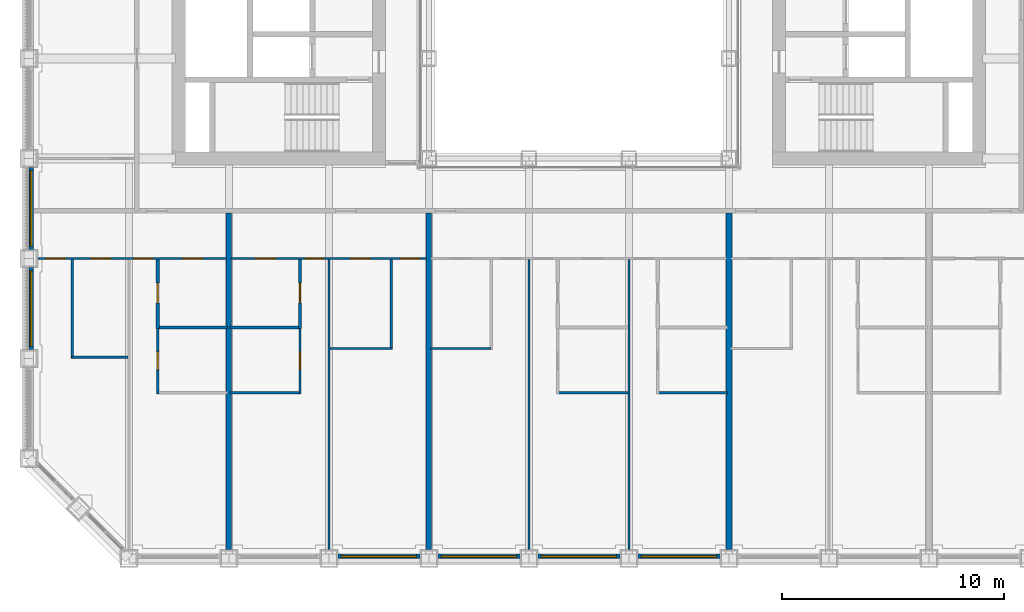
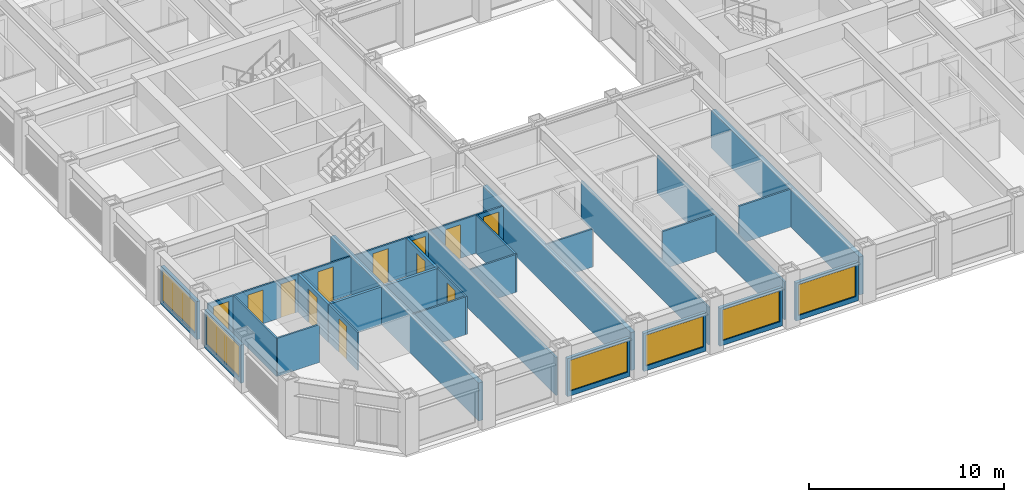
# One storey, part 9 of 21: 28 walls, 12 doors, 6 windows, 18 openings.
"""IFC4 building model written with IfcOpenShell, lengths in metres."""

from ifc_helpers import new_model, si_unit, direction, frame, frame_2d, origin, place, context, subcontext, project, spatial, rectangle, extrude, material, layer, layer_set, type_object, element, fill, save


model = new_model("IFC4")

# Units and contexts
model_context = context("Model", 3, precision=1e-05, world=origin(), true_north=direction((0.0, 1.0)))
body_context = subcontext(model_context, "Body", "Model", "MODEL_VIEW")
ifc_project = project(units=[si_unit("LENGTHUNIT", "METRE"), si_unit("AREAUNIT", "SQUARE_METRE"), si_unit("VOLUMEUNIT", "CUBIC_METRE"), si_unit("PLANEANGLEUNIT", "RADIAN"), si_unit("MASSUNIT", "GRAM", prefix="KILO")], contexts=[model_context])

# Site, building, storey
site_placement = place(None, origin())
site = spatial("IfcSite", under=ifc_project, at=site_placement, CompositionType="ELEMENT")
building_placement = place(site_placement, origin())
building = spatial("IfcBuilding", under=site, at=building_placement, Name="Msasa Ring Tower", CompositionType="ELEMENT")
storey_placement = place(building_placement, frame((0.0, 0.0, 47.5)))
storey = spatial("IfcBuildingStorey", under=building, at=storey_placement, Name="L11", CompositionType="ELEMENT", Elevation=47.5)

# Wall, opening, window
ifc_material_1 = material(Name="Terracotta rainscreen on blockwork", Category="masonry")
ifc_layer_1 = layer(ifc_material_1, 0.199951171875)
ifc_layer_set_1 = layer_set([ifc_layer_1], Name="FW1 TERRACOTTA-LINED INFILL BAY WALL 200")
wall_type_1 = type_object("IfcWallType", Name="FW1 TERRACOTTA-LINED INFILL BAY WALL 200", PredefinedType="SOLIDWALL", material=ifc_layer_set_1)
wall_1_placement = place(storey_placement, frame((-10.844970703125, -24.64990234375, 0.0), z_axis=(0.0, 0.0, 1.0), x_axis=(1.0, 0.0, 0.0)))
wall_1 = element("IfcWall", 1, at=wall_1_placement, inside=storey, type_object=wall_type_1, Name="Infill bay wall S L11 02", PredefinedType="SOLIDWALL", context=body_context, shape_type="SweptSolid", body=[
    extrude(rectangle(XDim=3.68994140625, YDim=0.199951171875, at=frame_2d((1.844970703125, 0.0))), origin(), (0.0, 0.0, 1.0), 2.37890625),
])
opening_1_placement = place(wall_1_placement, frame((0.14501953125, 0.0, 0.300048828125)))
opening_1 = element("IfcOpeningElement", 2, at=opening_1_placement, cuts=wall_1, Name="Opening WN1", PredefinedType="OPENING", context=body_context, shape_type="SweptSolid", body=[
    extrude(rectangle(XDim=3.39990234375, YDim=1.928955078125, at=frame_2d((1.699951171875, 0.96435546875))), frame((0.0, 0.10986328125, 0.0), z_axis=(0.0, -1.0, 0.0), x_axis=(1.0, 0.0, 0.0)), (0.0, 0.0, 1.0), 0.219970703125),
])
ifc_material_2 = material(Name="Aluminium frame with clear glass", Category="aluminium")
window_type = type_object("IfcWindowType", Name="WN1 RESIDENCE WINDOW 3400x1929", PartitioningType="SINGLE_PANEL", PredefinedType="WINDOW", material=ifc_material_2)
window_1_placement = place(opening_1_placement, origin())
window_1 = element("IfcWindow", 3, at=window_1_placement, inside=storey, type_object=window_type, Name="Window S L11 02", OverallHeight=1.928955078125, OverallWidth=3.39990234375, PartitioningType="SINGLE_PANEL", PredefinedType="WINDOW", context=body_context, shape_type="SweptSolid", body=[
    extrude(rectangle(XDim=3.39990234375, YDim=1.928955078125, at=frame_2d((1.699951171875, 0.96435546875))), frame((0.0, 0.030029296875, 0.0), z_axis=(0.0, -1.0, 0.0), x_axis=(1.0, 0.0, 0.0)), (0.0, 0.0, 1.0), 0.06005859375),
])
fill(opening_1, window_1)

wall_2_placement = place(storey_placement, frame((-6.344970703125, -24.64990234375, 0.0), z_axis=(0.0, 0.0, 1.0), x_axis=(1.0, 0.0, 0.0)))
wall_2 = element("IfcWall", 4, at=wall_2_placement, inside=storey, type_object=wall_type_1, Name="Infill bay wall S L11 03", PredefinedType="SOLIDWALL", context=body_context, shape_type="SweptSolid", body=[
    extrude(rectangle(XDim=3.68994140625, YDim=0.199951171875, at=frame_2d((1.844970703125, 0.0))), origin(), (0.0, 0.0, 1.0), 2.37890625),
])
opening_2_placement = place(wall_2_placement, frame((0.14501953125, 0.0, 0.300048828125)))
opening_2 = element("IfcOpeningElement", 5, at=opening_2_placement, cuts=wall_2, Name="Opening WN1", PredefinedType="OPENING", context=body_context, shape_type="SweptSolid", body=[
    extrude(rectangle(XDim=3.39990234375, YDim=1.928955078125, at=frame_2d((1.699951171875, 0.96435546875))), frame((0.0, 0.10986328125, 0.0), z_axis=(0.0, -1.0, 0.0), x_axis=(1.0, 0.0, 0.0)), (0.0, 0.0, 1.0), 0.219970703125),
])
window_2_placement = place(opening_2_placement, origin())
window_2 = element("IfcWindow", 6, at=window_2_placement, inside=storey, type_object=window_type, Name="Window S L11 03", OverallHeight=1.928955078125, OverallWidth=3.39990234375, PartitioningType="SINGLE_PANEL", PredefinedType="WINDOW", context=body_context, shape_type="SweptSolid", body=[
    extrude(rectangle(XDim=3.39990234375, YDim=1.928955078125, at=frame_2d((1.699951171875, 0.96435546875))), frame((0.0, 0.030029296875, 0.0), z_axis=(0.0, -1.0, 0.0), x_axis=(1.0, 0.0, 0.0)), (0.0, 0.0, 1.0), 0.06005859375),
])
fill(opening_2, window_2)

wall_3_placement = place(storey_placement, frame((-1.844970703125, -24.64990234375, 0.0), z_axis=(0.0, 0.0, 1.0), x_axis=(1.0, 0.0, 0.0)))
wall_3 = element("IfcWall", 7, at=wall_3_placement, inside=storey, type_object=wall_type_1, Name="Infill bay wall S L11 04", PredefinedType="SOLIDWALL", context=body_context, shape_type="SweptSolid", body=[
    extrude(rectangle(XDim=3.68994140625, YDim=0.199951171875, at=frame_2d((1.844970703125, 0.0))), origin(), (0.0, 0.0, 1.0), 2.37890625),
])
opening_3_placement = place(wall_3_placement, frame((0.14501953125, 0.0, 0.300048828125)))
opening_3 = element("IfcOpeningElement", 8, at=opening_3_placement, cuts=wall_3, Name="Opening WN1", PredefinedType="OPENING", context=body_context, shape_type="SweptSolid", body=[
    extrude(rectangle(XDim=3.39990234375, YDim=1.928955078125, at=frame_2d((1.699951171875, 0.96435546875))), frame((0.0, 0.10986328125, 0.0), z_axis=(0.0, -1.0, 0.0), x_axis=(1.0, 0.0, 0.0)), (0.0, 0.0, 1.0), 0.219970703125),
])
window_3_placement = place(opening_3_placement, origin())
window_3 = element("IfcWindow", 9, at=window_3_placement, inside=storey, type_object=window_type, Name="Window S L11 04", OverallHeight=1.928955078125, OverallWidth=3.39990234375, PartitioningType="SINGLE_PANEL", PredefinedType="WINDOW", context=body_context, shape_type="SweptSolid", body=[
    extrude(rectangle(XDim=3.39990234375, YDim=1.928955078125, at=frame_2d((1.699951171875, 0.96435546875))), frame((0.0, 0.030029296875, 0.0), z_axis=(0.0, -1.0, 0.0), x_axis=(1.0, 0.0, 0.0)), (0.0, 0.0, 1.0), 0.06005859375),
])
fill(opening_3, window_3)

wall_4_placement = place(storey_placement, frame((2.655029296875, -24.64990234375, 0.0), z_axis=(0.0, 0.0, 1.0), x_axis=(1.0, 0.0, 0.0)))
wall_4 = element("IfcWall", 10, at=wall_4_placement, inside=storey, type_object=wall_type_1, Name="Infill bay wall S L11 05", PredefinedType="SOLIDWALL", context=body_context, shape_type="SweptSolid", body=[
    extrude(rectangle(XDim=3.68994140625, YDim=0.199951171875, at=frame_2d((1.844970703125, 0.0))), origin(), (0.0, 0.0, 1.0), 2.37890625),
])
opening_4_placement = place(wall_4_placement, frame((0.14501953125, 0.0, 0.300048828125)))
opening_4 = element("IfcOpeningElement", 11, at=opening_4_placement, cuts=wall_4, Name="Opening WN1", PredefinedType="OPENING", context=body_context, shape_type="SweptSolid", body=[
    extrude(rectangle(XDim=3.39990234375, YDim=1.928955078125, at=frame_2d((1.699951171875, 0.96435546875))), frame((0.0, 0.10986328125, 0.0), z_axis=(0.0, -1.0, 0.0), x_axis=(1.0, 0.0, 0.0)), (0.0, 0.0, 1.0), 0.219970703125),
])
window_4_placement = place(opening_4_placement, origin())
window_4 = element("IfcWindow", 12, at=window_4_placement, inside=storey, type_object=window_type, Name="Window S L11 05", OverallHeight=1.928955078125, OverallWidth=3.39990234375, PartitioningType="SINGLE_PANEL", PredefinedType="WINDOW", context=body_context, shape_type="SweptSolid", body=[
    extrude(rectangle(XDim=3.39990234375, YDim=1.928955078125, at=frame_2d((1.699951171875, 0.96435546875))), frame((0.0, 0.030029296875, 0.0), z_axis=(0.0, -1.0, 0.0), x_axis=(1.0, 0.0, 0.0)), (0.0, 0.0, 1.0), 0.06005859375),
])
fill(opening_4, window_4)

wall_5_placement = place(storey_placement, frame((-24.64990234375, -15.344970703125, 0.0), z_axis=(0.0, 0.0, 1.0), x_axis=(0.0, 1.0, 0.0)))
wall_5 = element("IfcWall", 13, at=wall_5_placement, inside=storey, type_object=wall_type_1, Name="Infill bay wall W L11 34", PredefinedType="SOLIDWALL", context=body_context, shape_type="SweptSolid", body=[
    extrude(rectangle(XDim=3.68994140625, YDim=0.199951171875, at=frame_2d((1.844970703125, 0.0))), origin(), (0.0, 0.0, 1.0), 2.37890625),
])
opening_5_placement = place(wall_5_placement, frame((0.14501953125, 0.0, 0.300048828125)))
opening_5 = element("IfcOpeningElement", 14, at=opening_5_placement, cuts=wall_5, Name="Opening WN1", PredefinedType="OPENING", context=body_context, shape_type="SweptSolid", body=[
    extrude(rectangle(XDim=3.39990234375, YDim=1.928955078125, at=frame_2d((1.699951171875, 0.96435546875))), frame((0.0, 0.10986328125, 0.0), z_axis=(0.0, -1.0, 0.0), x_axis=(1.0, 0.0, 0.0)), (0.0, 0.0, 1.0), 0.219970703125),
])
window_5_placement = place(opening_5_placement, origin())
window_5 = element("IfcWindow", 15, at=window_5_placement, inside=storey, type_object=window_type, Name="Window W L11 34", OverallHeight=1.928955078125, OverallWidth=3.39990234375, PartitioningType="SINGLE_PANEL", PredefinedType="WINDOW", context=body_context, shape_type="SweptSolid", body=[
    extrude(rectangle(XDim=3.39990234375, YDim=1.928955078125, at=frame_2d((1.699951171875, 0.96435546875))), frame((0.0, 0.030029296875, 0.0), z_axis=(0.0, -1.0, 0.0), x_axis=(1.0, 0.0, 0.0)), (0.0, 0.0, 1.0), 0.06005859375),
])
fill(opening_5, window_5)

wall_6_placement = place(storey_placement, frame((-24.64990234375, -10.844970703125, 0.0), z_axis=(0.0, 0.0, 1.0), x_axis=(0.0, 1.0, 0.0)))
wall_6 = element("IfcWall", 16, at=wall_6_placement, inside=storey, type_object=wall_type_1, Name="Infill bay wall W L11 35", PredefinedType="SOLIDWALL", context=body_context, shape_type="SweptSolid", body=[
    extrude(rectangle(XDim=3.68994140625, YDim=0.199951171875, at=frame_2d((1.844970703125, 0.0))), origin(), (0.0, 0.0, 1.0), 2.37890625),
])
opening_6_placement = place(wall_6_placement, frame((0.14501953125, 0.0, 0.300048828125)))
opening_6 = element("IfcOpeningElement", 17, at=opening_6_placement, cuts=wall_6, Name="Opening WN1", PredefinedType="OPENING", context=body_context, shape_type="SweptSolid", body=[
    extrude(rectangle(XDim=3.39990234375, YDim=1.928955078125, at=frame_2d((1.699951171875, 0.96435546875))), frame((0.0, 0.10986328125, 0.0), z_axis=(0.0, -1.0, 0.0), x_axis=(1.0, 0.0, 0.0)), (0.0, 0.0, 1.0), 0.219970703125),
])
window_6_placement = place(opening_6_placement, origin())
window_6 = element("IfcWindow", 18, at=window_6_placement, inside=storey, type_object=window_type, Name="Window W L11 35", OverallHeight=1.928955078125, OverallWidth=3.39990234375, PartitioningType="SINGLE_PANEL", PredefinedType="WINDOW", context=body_context, shape_type="SweptSolid", body=[
    extrude(rectangle(XDim=3.39990234375, YDim=1.928955078125, at=frame_2d((1.699951171875, 0.96435546875))), frame((0.0, 0.030029296875, 0.0), z_axis=(0.0, -1.0, 0.0), x_axis=(1.0, 0.0, 0.0)), (0.0, 0.0, 1.0), 0.06005859375),
])
fill(opening_6, window_6)

# Wall, openings, doors
ifc_material_3 = material(Name="Gypsum board on steel studs", Category="steel")
ifc_layer_2 = layer(ifc_material_3, 0.10009765625)
ifc_layer_set_2 = layer_set([ifc_layer_2], Name="PT2 STUD PARTITION 100")
wall_type_2 = type_object("IfcWallType", Name="PT2 STUD PARTITION 100", PredefinedType="PARTITIONING", material=ifc_layer_set_2)
wall_7_placement = place(storey_placement, frame((-24.35009765625, -11.25, 0.0), z_axis=(0.0, 0.0, 1.0), x_axis=(1.0, 0.0, 0.0)))
wall_7 = element("IfcWall", 19, at=wall_7_placement, inside=storey, type_object=wall_type_2, Name="Partition L11-US00HY", PredefinedType="PARTITIONING", context=body_context, shape_type="SweptSolid", body=[
    extrude(rectangle(XDim=8.5, YDim=0.10009765625, at=frame_2d((4.25, 0.0))), origin(), (0.0, 0.0, 1.0), 2.373291015625),
])
opening_7_placement = place(wall_7_placement, frame((2.375, 0.0, 0.0)))
opening_7 = element("IfcOpeningElement", 20, at=opening_7_placement, cuts=wall_7, Name="Opening RC-054", PredefinedType="OPENING", context=body_context, shape_type="SweptSolid", body=[
    extrude(rectangle(XDim=0.89990234375, YDim=2.10009765625, at=frame_2d((0.449951171875, 1.050048828125))), frame((0.0, 0.06005859375, 0.0), z_axis=(0.0, -1.0, 0.0), x_axis=(1.0, 0.0, 0.0)), (0.0, 0.0, 1.0), 0.1201171875),
])
opening_8_placement = place(wall_7_placement, frame((0.35009765625, 0.0, 0.0)))
opening_8 = element("IfcOpeningElement", 21, at=opening_8_placement, cuts=wall_7, Name="Opening RC-053", PredefinedType="OPENING", context=body_context, shape_type="SweptSolid", body=[
    extrude(rectangle(XDim=0.89990234375, YDim=2.10009765625, at=frame_2d((0.449951171875, 1.050048828125))), frame((0.0, 0.06005859375, 0.0), z_axis=(0.0, -1.0, 0.0), x_axis=(1.0, 0.0, 0.0)), (0.0, 0.0, 1.0), 0.1201171875),
])
opening_9_placement = place(wall_7_placement, frame((4.324951171875, 0.0, 0.0)))
opening_9 = element("IfcOpeningElement", 22, at=opening_9_placement, cuts=wall_7, Name="Opening RC-055", PredefinedType="OPENING", context=body_context, shape_type="SweptSolid", body=[
    extrude(rectangle(XDim=0.85009765625, YDim=2.10009765625, at=frame_2d((0.425048828125, 1.050048828125))), frame((0.0, 0.06005859375, 0.0), z_axis=(0.0, -1.0, 0.0), x_axis=(1.0, 0.0, 0.0)), (0.0, 0.0, 1.0), 0.1201171875),
])
opening_10_placement = place(wall_7_placement, frame((6.52001953125, 0.0, 0.0)))
opening_10 = element("IfcOpeningElement", 23, at=opening_10_placement, cuts=wall_7, Name="Opening RC-056", PredefinedType="OPENING", context=body_context, shape_type="SweptSolid", body=[
    extrude(rectangle(XDim=0.89990234375, YDim=2.10009765625, at=frame_2d((0.449951171875, 1.050048828125))), frame((0.0, 0.06005859375, 0.0), z_axis=(0.0, -1.0, 0.0), x_axis=(1.0, 0.0, 0.0)), (0.0, 0.0, 1.0), 0.1201171875),
])
ifc_material_4 = material(Name="Timber door leaf in a steel frame", Category="steel")
door_type_1 = type_object("IfcDoorType", Name="D14 BEDROOM DOOR 850x2100", OperationType="SINGLE_SWING_LEFT", PredefinedType="DOOR", material=ifc_material_4)
door_1_placement = place(opening_9_placement, origin())
door_1 = element("IfcDoor", 24, at=door_1_placement, inside=storey, type_object=door_type_1, Name="Door L11-US00R1", OperationType="SINGLE_SWING_RIGHT", OverallHeight=2.10009765625, OverallWidth=0.85009765625, PredefinedType="DOOR", context=body_context, shape_type="SweptSolid", body=[
    extrude(rectangle(XDim=0.85009765625, YDim=2.10009765625, at=frame_2d((0.425048828125, 1.050048828125))), frame((0.0, 0.02490234375, 0.0), z_axis=(0.0, -1.0, 0.0), x_axis=(1.0, 0.0, 0.0)), (0.0, 0.0, 1.0), 0.050048828125),
])
fill(opening_9, door_1)
ifc_material_5 = material(Name="Timber door leaf in a steel frame", Category="steel")
door_type_2 = type_object("IfcDoorType", Name="D22 INTERNAL HALL DOOR 900x2100", OperationType="SINGLE_SWING_LEFT", PredefinedType="DOOR", material=ifc_material_5)
door_2_placement = place(opening_7_placement, origin())
door_2 = element("IfcDoor", 25, at=door_2_placement, inside=storey, type_object=door_type_2, Name="Door L11-US00K", OperationType="SINGLE_SWING_LEFT", OverallHeight=2.10009765625, OverallWidth=0.89990234375, PredefinedType="DOOR", context=body_context, shape_type="SweptSolid", body=[
    extrude(rectangle(XDim=0.89990234375, YDim=2.10009765625, at=frame_2d((0.449951171875, 1.050048828125))), frame((0.0, 0.02490234375, 0.0), z_axis=(0.0, -1.0, 0.0), x_axis=(1.0, 0.0, 0.0)), (0.0, 0.0, 1.0), 0.050048828125),
])
fill(opening_7, door_2)
door_3_placement = place(opening_8_placement, origin())
door_3 = element("IfcDoor", 26, at=door_3_placement, inside=storey, type_object=door_type_2, Name="Door L11-US00L", OperationType="SINGLE_SWING_LEFT", OverallHeight=2.10009765625, OverallWidth=0.89990234375, PredefinedType="DOOR", context=body_context, shape_type="SweptSolid", body=[
    extrude(rectangle(XDim=0.89990234375, YDim=2.10009765625, at=frame_2d((0.449951171875, 1.050048828125))), frame((0.0, 0.02490234375, 0.0), z_axis=(0.0, -1.0, 0.0), x_axis=(1.0, 0.0, 0.0)), (0.0, 0.0, 1.0), 0.050048828125),
])
fill(opening_8, door_3)
ifc_material_6 = material(Name="Timber door leaf in a steel frame", Category="steel")
door_type_3 = type_object("IfcDoorType", Name="D3 BATHROOM DOOR 900x2100", OperationType="SINGLE_SWING_LEFT", PredefinedType="DOOR", material=ifc_material_6)
door_4_placement = place(opening_10_placement, origin())
door_4 = element("IfcDoor", 27, at=door_4_placement, inside=storey, type_object=door_type_3, Name="Door L11-US00BH1", OperationType="SINGLE_SWING_RIGHT", OverallHeight=2.10009765625, OverallWidth=0.89990234375, PredefinedType="DOOR", context=body_context, shape_type="SweptSolid", body=[
    extrude(rectangle(XDim=0.89990234375, YDim=2.10009765625, at=frame_2d((0.449951171875, 1.050048828125))), frame((0.0, 0.02490234375, 0.0), z_axis=(0.0, -1.0, 0.0), x_axis=(1.0, 0.0, 0.0)), (0.0, 0.0, 1.0), 0.050048828125),
])
fill(opening_10, door_4)

# Walls
wall_8_placement = place(storey_placement, frame((-22.800048828125, -15.7421875, 0.0), z_axis=(0.0, 0.0, 1.0), x_axis=(0.0, 1.0, 0.0)))
element("IfcWall", 28, at=wall_8_placement, inside=storey, type_object=wall_type_2, Name="Partition L11-US00KX", PredefinedType="PARTITIONING", context=body_context, shape_type="SweptSolid", body=[
    extrude(rectangle(XDim=4.442138671875, YDim=0.10009765625, at=frame_2d((2.22119140625, 0.0))), origin(), (0.0, 0.0, 1.0), 2.373291015625),
])
wall_9_placement = place(storey_placement, frame((-22.800048828125, -15.692138671875, 0.0), z_axis=(0.0, 0.0, 1.0), x_axis=(1.0, 0.0, 0.0)))
element("IfcWall", 29, at=wall_9_placement, inside=storey, type_object=wall_type_2, Name="Partition L11-US00KY", PredefinedType="PARTITIONING", context=body_context, shape_type="SweptSolid", body=[
    extrude(rectangle(XDim=2.5, YDim=0.10009765625, at=frame_2d((1.25, 0.0))), origin(), (0.0, 0.0, 1.0), 2.373291015625),
])

# Wall, opening, door
wall_10_placement = place(storey_placement, frame((-18.949951171875, -17.3408203125, 0.0), z_axis=(0.0, 0.0, 1.0), x_axis=(0.0, 1.0, 0.0)))
wall_10 = element("IfcWall", 30, at=wall_10_placement, inside=storey, type_object=wall_type_2, Name="Partition L11-US00WX1", PredefinedType="PARTITIONING", context=body_context, shape_type="SweptSolid", body=[
    extrude(rectangle(XDim=2.94091796875, YDim=0.10009765625, at=frame_2d((1.470458984375, 0.0))), origin(), (0.0, 0.0, 1.0), 2.373291015625),
])
opening_11_placement = place(wall_10_placement, frame((1.095458984375, 0.0, 0.0)))
opening_11 = element("IfcOpeningElement", 31, at=opening_11_placement, cuts=wall_10, Name="Opening RC-080", PredefinedType="OPENING", context=body_context, shape_type="SweptSolid", body=[
    extrude(rectangle(XDim=0.800048828125, YDim=2.10009765625, at=frame_2d((0.39990234375, 1.050048828125))), frame((0.0, 0.06005859375, 0.0), z_axis=(0.0, -1.0, 0.0), x_axis=(1.0, 0.0, 0.0)), (0.0, 0.0, 1.0), 0.1201171875),
])
ifc_material_7 = material(Name="Timber door leaf in a steel frame", Category="steel")
door_type_4 = type_object("IfcDoorType", Name="D60 DRESSING ROOM DOOR 800x2100", OperationType="SINGLE_SWING_LEFT", PredefinedType="DOOR", material=ifc_material_7)
door_5_placement = place(opening_11_placement, origin())
door_5 = element("IfcDoor", 32, at=door_5_placement, inside=storey, type_object=door_type_4, Name="Door L11-US00W1", OperationType="SINGLE_SWING_LEFT", OverallHeight=2.10009765625, OverallWidth=0.800048828125, PredefinedType="DOOR", context=body_context, shape_type="SweptSolid", body=[
    extrude(rectangle(XDim=0.800048828125, YDim=2.10009765625, at=frame_2d((0.39990234375, 1.050048828125))), frame((0.0, 0.02490234375, 0.0), z_axis=(0.0, -1.0, 0.0), x_axis=(1.0, 0.0, 0.0)), (0.0, 0.0, 1.0), 0.050048828125),
])
fill(opening_11, door_5)

# Wall, openings, doors
wall_11_placement = place(storey_placement, frame((-15.64990234375, -11.25, 0.0), z_axis=(0.0, 0.0, 1.0), x_axis=(1.0, 0.0, 0.0)))
wall_11 = element("IfcWall", 33, at=wall_11_placement, inside=storey, type_object=wall_type_2, Name="Partition L11-US01HY", PredefinedType="PARTITIONING", context=body_context, shape_type="SweptSolid", body=[
    extrude(rectangle(XDim=8.7998046875, YDim=0.10009765625, at=frame_2d((4.39990234375, 0.0))), origin(), (0.0, 0.0, 1.0), 2.373291015625),
])
opening_12_placement = place(wall_11_placement, frame((5.35009765625, 0.0, 0.0)))
opening_12 = element("IfcOpeningElement", 34, at=opening_12_placement, cuts=wall_11, Name="Opening RC-059", PredefinedType="OPENING", context=body_context, shape_type="SweptSolid", body=[
    extrude(rectangle(XDim=0.89990234375, YDim=2.10009765625, at=frame_2d((0.449951171875, 1.050048828125))), frame((0.0, 0.06005859375, 0.0), z_axis=(0.0, -1.0, 0.0), x_axis=(1.0, 0.0, 0.0)), (0.0, 0.0, 1.0), 0.1201171875),
])
opening_13_placement = place(wall_11_placement, frame((7.60009765625, 0.0, 0.0)))
opening_13 = element("IfcOpeningElement", 35, at=opening_13_placement, cuts=wall_11, Name="Opening RC-060", PredefinedType="OPENING", context=body_context, shape_type="SweptSolid", body=[
    extrude(rectangle(XDim=0.89990234375, YDim=2.10009765625, at=frame_2d((0.449951171875, 1.050048828125))), frame((0.0, 0.06005859375, 0.0), z_axis=(0.0, -1.0, 0.0), x_axis=(1.0, 0.0, 0.0)), (0.0, 0.0, 1.0), 0.1201171875),
])
opening_14_placement = place(wall_11_placement, frame((3.324951171875, 0.0, 0.0)))
opening_14 = element("IfcOpeningElement", 36, at=opening_14_placement, cuts=wall_11, Name="Opening RC-058", PredefinedType="OPENING", context=body_context, shape_type="SweptSolid", body=[
    extrude(rectangle(XDim=0.85009765625, YDim=2.10009765625, at=frame_2d((0.425048828125, 1.050048828125))), frame((0.0, 0.06005859375, 0.0), z_axis=(0.0, -1.0, 0.0), x_axis=(1.0, 0.0, 0.0)), (0.0, 0.0, 1.0), 0.1201171875),
])
opening_15_placement = place(wall_11_placement, frame((1.080078125, 0.0, 0.0)))
opening_15 = element("IfcOpeningElement", 37, at=opening_15_placement, cuts=wall_11, Name="Opening RC-057", PredefinedType="OPENING", context=body_context, shape_type="SweptSolid", body=[
    extrude(rectangle(XDim=0.89990234375, YDim=2.10009765625, at=frame_2d((0.449951171875, 1.050048828125))), frame((0.0, 0.06005859375, 0.0), z_axis=(0.0, -1.0, 0.0), x_axis=(1.0, 0.0, 0.0)), (0.0, 0.0, 1.0), 0.1201171875),
])
door_6_placement = place(opening_14_placement, origin())
door_6 = element("IfcDoor", 38, at=door_6_placement, inside=storey, type_object=door_type_1, Name="Door L11-US01R1", OperationType="SINGLE_SWING_LEFT", OverallHeight=2.10009765625, OverallWidth=0.85009765625, PredefinedType="DOOR", context=body_context, shape_type="SweptSolid", body=[
    extrude(rectangle(XDim=0.85009765625, YDim=2.10009765625, at=frame_2d((0.425048828125, 1.050048828125))), frame((0.0, 0.02490234375, 0.0), z_axis=(0.0, -1.0, 0.0), x_axis=(1.0, 0.0, 0.0)), (0.0, 0.0, 1.0), 0.050048828125),
])
fill(opening_14, door_6)
door_7_placement = place(opening_12_placement, origin())
door_7 = element("IfcDoor", 39, at=door_7_placement, inside=storey, type_object=door_type_2, Name="Door L11-US01K", OperationType="SINGLE_SWING_RIGHT", OverallHeight=2.10009765625, OverallWidth=0.89990234375, PredefinedType="DOOR", context=body_context, shape_type="SweptSolid", body=[
    extrude(rectangle(XDim=0.89990234375, YDim=2.10009765625, at=frame_2d((0.449951171875, 1.050048828125))), frame((0.0, 0.02490234375, 0.0), z_axis=(0.0, -1.0, 0.0), x_axis=(1.0, 0.0, 0.0)), (0.0, 0.0, 1.0), 0.050048828125),
])
fill(opening_12, door_7)
door_8_placement = place(opening_13_placement, origin())
door_8 = element("IfcDoor", 40, at=door_8_placement, inside=storey, type_object=door_type_2, Name="Door L11-US01L", OperationType="SINGLE_SWING_RIGHT", OverallHeight=2.10009765625, OverallWidth=0.89990234375, PredefinedType="DOOR", context=body_context, shape_type="SweptSolid", body=[
    extrude(rectangle(XDim=0.89990234375, YDim=2.10009765625, at=frame_2d((0.449951171875, 1.050048828125))), frame((0.0, 0.02490234375, 0.0), z_axis=(0.0, -1.0, 0.0), x_axis=(1.0, 0.0, 0.0)), (0.0, 0.0, 1.0), 0.050048828125),
])
fill(opening_13, door_8)
door_9_placement = place(opening_15_placement, origin())
door_9 = element("IfcDoor", 41, at=door_9_placement, inside=storey, type_object=door_type_3, Name="Door L11-US01BH1", OperationType="SINGLE_SWING_LEFT", OverallHeight=2.10009765625, OverallWidth=0.89990234375, PredefinedType="DOOR", context=body_context, shape_type="SweptSolid", body=[
    extrude(rectangle(XDim=0.89990234375, YDim=2.10009765625, at=frame_2d((0.449951171875, 1.050048828125))), frame((0.0, 0.02490234375, 0.0), z_axis=(0.0, -1.0, 0.0), x_axis=(1.0, 0.0, 0.0)), (0.0, 0.0, 1.0), 0.050048828125),
])
fill(opening_15, door_9)

# Walls
wall_12_placement = place(storey_placement, frame((-8.449951171875, -15.35009765625, 0.0), z_axis=(0.0, 0.0, 1.0), x_axis=(0.0, 1.0, 0.0)))
element("IfcWall", 42, at=wall_12_placement, inside=storey, type_object=wall_type_2, Name="Partition L11-US01KX", PredefinedType="PARTITIONING", context=body_context, shape_type="SweptSolid", body=[
    extrude(rectangle(XDim=4.050048828125, YDim=0.10009765625, at=frame_2d((2.02490234375, 0.0))), origin(), (0.0, 0.0, 1.0), 2.373291015625),
])
wall_13_placement = place(storey_placement, frame((-11.199951171875, -15.300048828125, 0.0), z_axis=(0.0, 0.0, 1.0), x_axis=(1.0, 0.0, 0.0)))
element("IfcWall", 43, at=wall_13_placement, inside=storey, type_object=wall_type_2, Name="Partition L11-US01KY", PredefinedType="PARTITIONING", context=body_context, shape_type="SweptSolid", body=[
    extrude(rectangle(XDim=2.75, YDim=0.10009765625, at=frame_2d((1.375, 0.0))), origin(), (0.0, 0.0, 1.0), 2.373291015625),
])
wall_14_placement = place(storey_placement, frame((-11.25, -24.35009765625, 0.0), z_axis=(0.0, 0.0, 1.0), x_axis=(0.0, 1.0, 0.0)))
element("IfcWall", 44, at=wall_14_placement, inside=storey, type_object=wall_type_2, Name="Partition L11-US01P1", PredefinedType="PARTITIONING", context=body_context, shape_type="SweptSolid", body=[
    extrude(rectangle(XDim=13.050048828125, YDim=0.10009765625, at=frame_2d((6.52490234375, 0.0))), origin(), (0.0, 0.0, 1.0), 2.373291015625),
])

# Wall, opening, door
wall_15_placement = place(storey_placement, frame((-12.550048828125, -17.343505859375, 0.0), z_axis=(0.0, 0.0, 1.0), x_axis=(0.0, 1.0, 0.0)))
wall_15 = element("IfcWall", 45, at=wall_15_placement, inside=storey, type_object=wall_type_2, Name="Partition L11-US01WX1", PredefinedType="PARTITIONING", context=body_context, shape_type="SweptSolid", body=[
    extrude(rectangle(XDim=2.943603515625, YDim=0.10009765625, at=frame_2d((1.4716796875, 0.0))), origin(), (0.0, 0.0, 1.0), 2.373291015625),
])
opening_16_placement = place(wall_15_placement, frame((1.0966796875, 0.0, 0.0)))
opening_16 = element("IfcOpeningElement", 46, at=opening_16_placement, cuts=wall_15, Name="Opening RC-081", PredefinedType="OPENING", context=body_context, shape_type="SweptSolid", body=[
    extrude(rectangle(XDim=0.800048828125, YDim=2.10009765625, at=frame_2d((0.39990234375, 1.050048828125))), frame((0.0, 0.06005859375, 0.0), z_axis=(0.0, -1.0, 0.0), x_axis=(1.0, 0.0, 0.0)), (0.0, 0.0, 1.0), 0.1201171875),
])
door_10_placement = place(opening_16_placement, origin())
door_10 = element("IfcDoor", 47, at=door_10_placement, inside=storey, type_object=door_type_4, Name="Door L11-US01W1", OperationType="SINGLE_SWING_LEFT", OverallHeight=2.10009765625, OverallWidth=0.800048828125, PredefinedType="DOOR", context=body_context, shape_type="SweptSolid", body=[
    extrude(rectangle(XDim=0.800048828125, YDim=2.10009765625, at=frame_2d((0.39990234375, 1.050048828125))), frame((0.0, 0.02490234375, 0.0), z_axis=(0.0, -1.0, 0.0), x_axis=(1.0, 0.0, 0.0)), (0.0, 0.0, 1.0), 0.050048828125),
])
fill(opening_16, door_10)

# Walls
wall_16_placement = place(storey_placement, frame((-15.68994140625, -17.29345703125, 0.0), z_axis=(0.0, 0.0, 1.0), x_axis=(1.0, 0.0, 0.0)))
element("IfcWall", 48, at=wall_16_placement, inside=storey, type_object=wall_type_2, Name="Partition L11-US01WY1", PredefinedType="PARTITIONING", context=body_context, shape_type="SweptSolid", body=[
    extrude(rectangle(XDim=3.139892578125, YDim=0.10009765625, at=frame_2d((1.56982421875, 0.0))), origin(), (0.0, 0.0, 1.0), 2.373291015625),
])
wall_17_placement = place(storey_placement, frame((-6.68994140625, -15.300048828125, 0.0), z_axis=(0.0, 0.0, 1.0), x_axis=(1.0, 0.0, 0.0)))
element("IfcWall", 49, at=wall_17_placement, inside=storey, type_object=wall_type_2, Name="Partition L11-US02KY", PredefinedType="PARTITIONING", context=body_context, shape_type="SweptSolid", body=[
    extrude(rectangle(XDim=2.739990234375, YDim=0.10009765625, at=frame_2d((1.3701171875, 0.0))), origin(), (0.0, 0.0, 1.0), 2.373291015625),
])
wall_18_placement = place(storey_placement, frame((-2.25, -24.35009765625, 0.0), z_axis=(0.0, 0.0, 1.0), x_axis=(0.0, 1.0, 0.0)))
element("IfcWall", 50, at=wall_18_placement, inside=storey, type_object=wall_type_2, Name="Partition L11-US02P1", PredefinedType="PARTITIONING", context=body_context, shape_type="SweptSolid", body=[
    extrude(rectangle(XDim=13.050048828125, YDim=0.10009765625, at=frame_2d((6.52490234375, 0.0))), origin(), (0.0, 0.0, 1.0), 2.373291015625),
])
wall_19_placement = place(storey_placement, frame((-0.949951171875, -17.29345703125, 0.0), z_axis=(0.0, 0.0, 1.0), x_axis=(1.0, 0.0, 0.0)))
element("IfcWall", 51, at=wall_19_placement, inside=storey, type_object=wall_type_2, Name="Partition L11-US02WY1", PredefinedType="PARTITIONING", context=body_context, shape_type="SweptSolid", body=[
    extrude(rectangle(XDim=3.14990234375, YDim=0.10009765625, at=frame_2d((1.574951171875, 0.0))), origin(), (0.0, 0.0, 1.0), 2.373291015625),
])
wall_20_placement = place(storey_placement, frame((2.25, -24.35009765625, 0.0), z_axis=(0.0, 0.0, 1.0), x_axis=(0.0, 1.0, 0.0)))
element("IfcWall", 52, at=wall_20_placement, inside=storey, type_object=wall_type_2, Name="Partition L11-US02P2", PredefinedType="PARTITIONING", context=body_context, shape_type="SweptSolid", body=[
    extrude(rectangle(XDim=13.050048828125, YDim=0.10009765625, at=frame_2d((6.52490234375, 0.0))), origin(), (0.0, 0.0, 1.0), 2.373291015625),
])
wall_21_placement = place(storey_placement, frame((3.550048828125, -17.29345703125, 0.0), z_axis=(0.0, 0.0, 1.0), x_axis=(1.0, 0.0, 0.0)))
element("IfcWall", 53, at=wall_21_placement, inside=storey, type_object=wall_type_2, Name="Partition L11-US02WY2", PredefinedType="PARTITIONING", context=body_context, shape_type="SweptSolid", body=[
    extrude(rectangle(XDim=3.139892578125, YDim=0.10009765625, at=frame_2d((1.56982421875, 0.0))), origin(), (0.0, 0.0, 1.0), 2.373291015625),
])
ifc_material_8 = material(Name="Dense concrete blockwork, plastered both faces", Category="masonry")
ifc_layer_3 = layer(ifc_material_8, 0.25)
ifc_layer_set_3 = layer_set([ifc_layer_3], Name="PT3 APARTMENT SEPARATING WALL 250")
wall_type_3 = type_object("IfcWallType", Name="PT3 APARTMENT SEPARATING WALL 250", PredefinedType="PARTITIONING", material=ifc_layer_set_3)
for number, where, z_axis, x_axis, name in (
    (54, (-15.75, -24.35009765625, 0.0), (0.0, 0.0, 1.0), (0.0, 1.0, 0.0), "Party wall L11-PWS-15.75"),
    (55, (-6.75, -24.35009765625, 0.0), (0.0, 0.0, 1.0), (0.0, 1.0, 0.0), "Party wall L11-PWS-6.75"),
    (56, (6.75, -24.35009765625, 0.0), (0.0, 0.0, 1.0), (0.0, 1.0, 0.0), "Party wall L11-PWS+6.75"),
):
    element("IfcWall", number, at=place(storey_placement, frame(where, z_axis=z_axis, x_axis=x_axis)), inside=storey, type_object=wall_type_3, Name=name, PredefinedType="PARTITIONING", context=body_context, shape_type="SweptSolid", body=[
        extrude(rectangle(XDim=15.150146484375, YDim=0.25, at=frame_2d((7.5751953125, 0.0))), origin(), (0.0, 0.0, 1.0), 2.373291015625),
    ])

# Wall, opening, door
ifc_material_9 = material(Name="Moisture-resistant board on steel studs with a concealed cistern and pipe void, tiled", Category="steel")
ifc_layer_4 = layer(ifc_material_9, 0.14990234375)
ifc_layer_set_4 = layer_set([ifc_layer_4], Name="PT4 BATHROOM WET WALL 150")
wall_type_4 = type_object("IfcWallType", Name="PT4 BATHROOM WET WALL 150", PredefinedType="PARTITIONING", material=ifc_layer_set_4)
wall_22_placement = place(storey_placement, frame((-18.949951171875, -14.39990234375, 0.0), z_axis=(0.0, 0.0, 1.0), x_axis=(0.0, 1.0, 0.0)))
wall_22 = element("IfcWall", 57, at=wall_22_placement, inside=storey, type_object=wall_type_4, Name="Partition L11-US00BX1", PredefinedType="PARTITIONING", context=body_context, shape_type="SweptSolid", body=[
    extrude(rectangle(XDim=3.099853515625, YDim=0.14990234375, at=frame_2d((1.5498046875, 0.0))), origin(), (0.0, 0.0, 1.0), 2.373291015625),
])
opening_17_placement = place(wall_22_placement, frame((1.14990234375, 0.0, 0.0)))
opening_17 = element("IfcOpeningElement", 58, at=opening_17_placement, cuts=wall_22, Name="Opening RC-074", PredefinedType="OPENING", context=body_context, shape_type="SweptSolid", body=[
    extrude(rectangle(XDim=0.89990234375, YDim=2.10009765625, at=frame_2d((0.449951171875, 1.050048828125))), frame((0.0, 0.0849609375, 0.0), z_axis=(0.0, -1.0, 0.0), x_axis=(1.0, 0.0, 0.0)), (0.0, 0.0, 1.0), 0.169921875),
])
door_11_placement = place(opening_17_placement, origin())
door_11 = element("IfcDoor", 59, at=door_11_placement, inside=storey, type_object=door_type_3, Name="Door L11-US00B1", OperationType="SINGLE_SWING_RIGHT", OverallHeight=2.10009765625, OverallWidth=0.89990234375, PredefinedType="DOOR", context=body_context, shape_type="SweptSolid", body=[
    extrude(rectangle(XDim=0.89990234375, YDim=2.10009765625, at=frame_2d((0.449951171875, 1.050048828125))), frame((0.0, 0.02490234375, 0.0), z_axis=(0.0, -1.0, 0.0), x_axis=(1.0, 0.0, 0.0)), (0.0, 0.0, 1.0), 0.050048828125),
])
fill(opening_17, door_11)

# Wall
wall_23_placement = place(storey_placement, frame((-18.949951171875, -14.35009765625, 0.0), z_axis=(0.0, 0.0, 1.0), x_axis=(1.0, 0.0, 0.0)))
element("IfcWall", 60, at=wall_23_placement, inside=storey, type_object=wall_type_4, Name="Partition L11-US00BY1", PredefinedType="PARTITIONING", context=body_context, shape_type="SweptSolid", body=[
    extrude(rectangle(XDim=3.139892578125, YDim=0.14990234375, at=frame_2d((1.56982421875, 0.0))), origin(), (0.0, 0.0, 1.0), 2.373291015625),
])

# Wall, opening, door
wall_24_placement = place(storey_placement, frame((-12.550048828125, -14.39990234375, 0.0), z_axis=(0.0, 0.0, 1.0), x_axis=(0.0, 1.0, 0.0)))
wall_24 = element("IfcWall", 61, at=wall_24_placement, inside=storey, type_object=wall_type_4, Name="Partition L11-US01BX1", PredefinedType="PARTITIONING", context=body_context, shape_type="SweptSolid", body=[
    extrude(rectangle(XDim=3.099853515625, YDim=0.14990234375, at=frame_2d((1.5498046875, 0.0))), origin(), (0.0, 0.0, 1.0), 2.373291015625),
])
opening_18_placement = place(wall_24_placement, frame((1.14990234375, 0.0, 0.0)))
opening_18 = element("IfcOpeningElement", 62, at=opening_18_placement, cuts=wall_24, Name="Opening RC-075", PredefinedType="OPENING", context=body_context, shape_type="SweptSolid", body=[
    extrude(rectangle(XDim=0.89990234375, YDim=2.10009765625, at=frame_2d((0.449951171875, 1.050048828125))), frame((0.0, 0.0849609375, 0.0), z_axis=(0.0, -1.0, 0.0), x_axis=(1.0, 0.0, 0.0)), (0.0, 0.0, 1.0), 0.169921875),
])
door_12_placement = place(opening_18_placement, origin())
door_12 = element("IfcDoor", 63, at=door_12_placement, inside=storey, type_object=door_type_3, Name="Door L11-US01B1", OperationType="SINGLE_SWING_RIGHT", OverallHeight=2.10009765625, OverallWidth=0.89990234375, PredefinedType="DOOR", context=body_context, shape_type="SweptSolid", body=[
    extrude(rectangle(XDim=0.89990234375, YDim=2.10009765625, at=frame_2d((0.449951171875, 1.050048828125))), frame((0.0, 0.02490234375, 0.0), z_axis=(0.0, -1.0, 0.0), x_axis=(1.0, 0.0, 0.0)), (0.0, 0.0, 1.0), 0.050048828125),
])
fill(opening_18, door_12)

# Wall
wall_25_placement = place(storey_placement, frame((-15.68994140625, -14.35009765625, 0.0), z_axis=(0.0, 0.0, 1.0), x_axis=(1.0, 0.0, 0.0)))
element("IfcWall", 64, at=wall_25_placement, inside=storey, type_object=wall_type_4, Name="Partition L11-US01BY1", PredefinedType="PARTITIONING", context=body_context, shape_type="SweptSolid", body=[
    extrude(rectangle(XDim=3.139892578125, YDim=0.14990234375, at=frame_2d((1.56982421875, 0.0))), origin(), (0.0, 0.0, 1.0), 2.373291015625),
])

save(model, "model.ifc")
